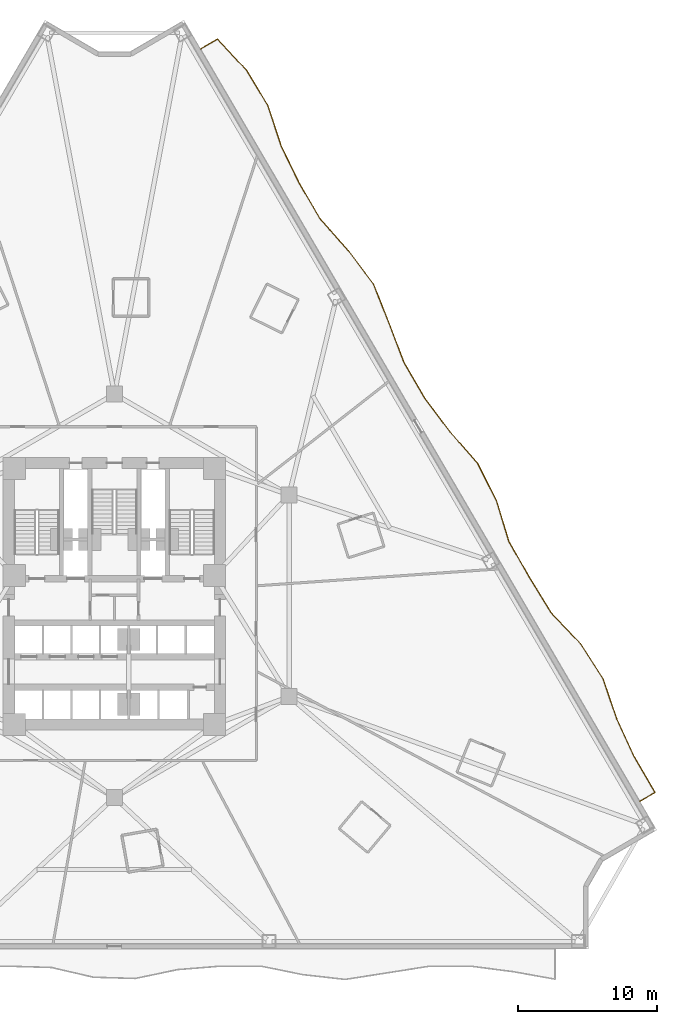
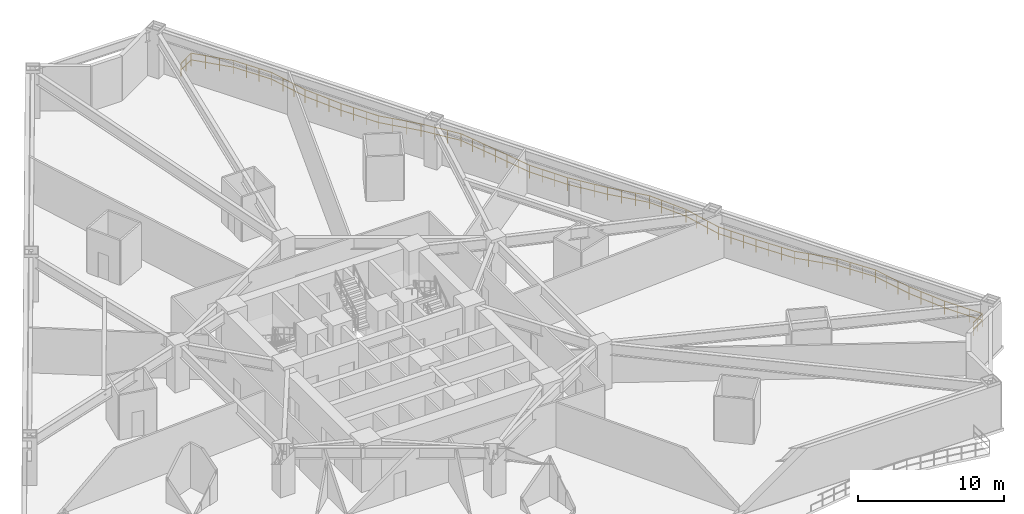
# One storey, part 10 of 10: 1 railing.
"""IFC4 building model written with IfcOpenShell, lengths in metres."""

from ifc_helpers import new_model, si_unit, direction, frame, origin, origin_2d, place, context, subcontext, project, spatial, rectangle, extrude, material, type_object, element, save


model = new_model("IFC4")

# Units and contexts
model_context = context("Model", 3, precision=1e-05, world=origin(), true_north=direction((0.0, 1.0)))
body_context = subcontext(model_context, "Body", "Model", "MODEL_VIEW")
ifc_project = project(units=[si_unit("LENGTHUNIT", "METRE"), si_unit("AREAUNIT", "SQUARE_METRE"), si_unit("VOLUMEUNIT", "CUBIC_METRE"), si_unit("PLANEANGLEUNIT", "RADIAN"), si_unit("MASSUNIT", "GRAM", prefix="KILO")], contexts=[model_context])

# Site, building, storey
site_placement = place(None, origin())
site = spatial("IfcSite", under=ifc_project, at=site_placement, CompositionType="ELEMENT")
building_placement = place(site_placement, origin())
building = spatial("IfcBuilding", under=site, at=building_placement, Name="Apsidion Concourse Tower", CompositionType="ELEMENT")
storey_placement = place(building_placement, frame((0.0, 0.0, 38.39990234375)))
storey = spatial("IfcBuildingStorey", under=building, at=storey_placement, Name="L07", CompositionType="ELEMENT", Elevation=38.39990234375)

# Railing
ifc_material = material(Name="Brushed stainless steel 316", Category="steel")
railing_type = type_object("IfcRailingType", Name="RL-BAL-1120", PredefinedType="BALUSTRADE", material=ifc_material)
railing_placement = place(storey_placement, frame((6.204833984375, 39.32275390625, 0.0)))
element("IfcRailing", 1, at=railing_placement, inside=storey, type_object=railing_type, Name="L07 Face 3 Rippling Balcony Balustrade", PredefinedType="BALUSTRADE", context=body_context, shape_type="SweptSolid", body=[
    extrude(rectangle(XDim=0.048095703125, YDim=0.048095703125, at=origin_2d()), frame((0.0, 0.0, 1.09619140625), z_axis=(0.863561934815, 0.504242783526, 0.0), x_axis=(-0.504242783526, 0.863561934815, 0.0)), (0.0, 0.0, 1.0), 1.38818359375),
    extrude(rectangle(XDim=0.048095703125, YDim=0.048095703125, at=origin_2d()), frame((0.0, 0.0, 0.5361328125), z_axis=(0.863561934815, 0.504242783526, 0.0), x_axis=(-0.504242783526, 0.863561934815, 0.0)), (0.0, 0.0, 1.0), 1.38818359375),
    extrude(rectangle(XDim=0.048095703125, YDim=0.048095703125, at=origin_2d()), frame((1.19873046875, 0.699951171875, 1.09619140625), z_axis=(0.683295779845, -0.730141682995, 0.0), x_axis=(0.730141682995, 0.683295779845, 0.0)), (0.0, 0.0, 1.0), 3.05908203125),
    extrude(rectangle(XDim=0.048095703125, YDim=0.048095703125, at=origin_2d()), frame((1.19873046875, 0.699951171875, 0.5361328125), z_axis=(0.683295779845, -0.730141682995, 0.0), x_axis=(0.730141682995, 0.683295779845, 0.0)), (0.0, 0.0, 1.0), 3.05908203125),
    extrude(rectangle(XDim=0.048095703125, YDim=0.048095703125, at=origin_2d()), frame((3.2890625, -1.53369140625, 1.09619140625), z_axis=(0.517777460533, -0.855515342565, 0.0), x_axis=(0.855515342565, 0.517777460533, 0.0)), (0.0, 0.0, 1.0), 2.9833984375),
    extrude(rectangle(XDim=0.048095703125, YDim=0.048095703125, at=origin_2d()), frame((3.2890625, -1.53369140625, 0.5361328125), z_axis=(0.517777460533, -0.855515342565, 0.0), x_axis=(0.855515342565, 0.517777460533, 0.0)), (0.0, 0.0, 1.0), 2.9833984375),
    extrude(rectangle(XDim=0.048095703125, YDim=0.048095703125, at=origin_2d()), frame((4.833740234375, -4.0859375, 1.09619140625), z_axis=(0.311086364781, -0.950381646312, 0.0), x_axis=(0.950381646312, 0.311086364781, 0.0)), (0.0, 0.0, 1.0), 3.05126953125),
    extrude(rectangle(XDim=0.048095703125, YDim=0.048095703125, at=origin_2d()), frame((4.833740234375, -4.0859375, 0.5361328125), z_axis=(0.311086364781, -0.950381646312, 0.0), x_axis=(0.950381646312, 0.311086364781, 0.0)), (0.0, 0.0, 1.0), 3.05126953125),
    extrude(rectangle(XDim=0.048095703125, YDim=0.048095703125, at=origin_2d()), frame((5.782958984375, -6.98583984375, 1.09619140625), z_axis=(0.438803112542, -0.898583233999, 0.0), x_axis=(0.898583233999, 0.438803112542, 0.0)), (0.0, 0.0, 1.0), 2.9912109375),
    extrude(rectangle(XDim=0.048095703125, YDim=0.048095703125, at=origin_2d()), frame((5.782958984375, -6.98583984375, 0.5361328125), z_axis=(0.438803112542, -0.898583233999, 0.0), x_axis=(0.898583233999, 0.438803112542, 0.0)), (0.0, 0.0, 1.0), 2.9912109375),
    extrude(rectangle(XDim=0.048095703125, YDim=0.048095703125, at=origin_2d()), frame((7.095458984375, -9.673583984375, 1.09619140625), z_axis=(0.504252641195, -0.863556178745, 0.0), x_axis=(0.863556178745, 0.504252641195, 0.0)), (0.0, 0.0, 1.0), 2.98291015625),
    extrude(rectangle(XDim=0.048095703125, YDim=0.048095703125, at=origin_2d()), frame((7.095458984375, -9.673583984375, 0.5361328125), z_axis=(0.504252641195, -0.863556178745, 0.0), x_axis=(0.863556178745, 0.504252641195, 0.0)), (0.0, 0.0, 1.0), 2.98291015625),
    extrude(rectangle(XDim=0.048095703125, YDim=0.048095703125, at=origin_2d()), frame((8.599609375, -12.24951171875, 1.09619140625), z_axis=(0.666461901303, -0.745539089593, 0.0), x_axis=(0.745539089593, 0.666461901303, 0.0)), (0.0, 0.0, 1.0), 3.044189453125),
    extrude(rectangle(XDim=0.048095703125, YDim=0.048095703125, at=origin_2d()), frame((8.599609375, -12.24951171875, 0.5361328125), z_axis=(0.666461901303, -0.745539089593, 0.0), x_axis=(0.745539089593, 0.666461901303, 0.0)), (0.0, 0.0, 1.0), 3.044189453125),
    extrude(rectangle(XDim=0.048095703125, YDim=0.048095703125, at=origin_2d()), frame((10.62841796875, -14.51904296875, 1.09619140625), z_axis=(0.598580873498, -0.801062380768, 0.0), x_axis=(0.801062380768, 0.598580873498, 0.0)), (0.0, 0.0, 1.0), 3.002197265625),
    extrude(rectangle(XDim=0.048095703125, YDim=0.048095703125, at=origin_2d()), frame((10.62841796875, -14.51904296875, 0.5361328125), z_axis=(0.598580873498, -0.801062380768, 0.0), x_axis=(0.801062380768, 0.598580873498, 0.0)), (0.0, 0.0, 1.0), 3.002197265625),
    extrude(rectangle(XDim=0.048095703125, YDim=0.048095703125, at=origin_2d()), frame((12.425537109375, -16.924072265625, 1.09619140625), z_axis=(0.369254982543, -0.929328121746, 0.0), x_axis=(0.929328121746, 0.369254982543, 0.0)), (0.0, 0.0, 1.0), 3.016845703125),
    extrude(rectangle(XDim=0.048095703125, YDim=0.048095703125, at=origin_2d()), frame((12.425537109375, -16.924072265625, 0.5361328125), z_axis=(0.369254982543, -0.929328121746, 0.0), x_axis=(0.929328121746, 0.369254982543, 0.0)), (0.0, 0.0, 1.0), 3.016845703125),
    extrude(rectangle(XDim=0.048095703125, YDim=0.048095703125, at=origin_2d()), frame((13.53955078125, -19.727783203125, 1.09619140625), z_axis=(0.355914743246, -0.934518429749, 0.0), x_axis=(0.934518429749, 0.355914743246, 0.0)), (0.0, 0.0, 1.0), 3.023681640625),
    extrude(rectangle(XDim=0.048095703125, YDim=0.048095703125, at=origin_2d()), frame((13.53955078125, -19.727783203125, 0.5361328125), z_axis=(0.355914743246, -0.934518429749, 0.0), x_axis=(0.934518429749, 0.355914743246, 0.0)), (0.0, 0.0, 1.0), 3.023681640625),
    extrude(rectangle(XDim=0.048095703125, YDim=0.048095703125, at=origin_2d()), frame((14.61572265625, -22.553466796875, 1.09619140625), z_axis=(0.504191602526, -0.863591817899, 0.0), x_axis=(0.863591817899, 0.504191602526, 0.0)), (0.0, 0.0, 1.0), 2.98291015625),
    extrude(rectangle(XDim=0.048095703125, YDim=0.048095703125, at=origin_2d()), frame((14.61572265625, -22.553466796875, 0.5361328125), z_axis=(0.504191602526, -0.863591817899, 0.0), x_axis=(0.863591817899, 0.504191602526, 0.0)), (0.0, 0.0, 1.0), 2.98291015625),
    extrude(rectangle(XDim=0.048095703125, YDim=0.048095703125, at=origin_2d()), frame((16.11962890625, -25.12939453125, 1.09619140625), z_axis=(0.599713764147, -0.8002145969, 0.0), x_axis=(0.8002145969, 0.599713764147, 0.0)), (0.0, 0.0, 1.0), 3.002685546875),
    extrude(rectangle(XDim=0.048095703125, YDim=0.048095703125, at=origin_2d()), frame((16.11962890625, -25.12939453125, 0.5361328125), z_axis=(0.599713764147, -0.8002145969, 0.0), x_axis=(0.8002145969, 0.599713764147, 0.0)), (0.0, 0.0, 1.0), 3.002685546875),
    extrude(rectangle(XDim=0.048095703125, YDim=0.048095703125, at=origin_2d()), frame((17.92041015625, -27.5322265625, 1.09619140625), z_axis=(0.657570751348, -0.753392797266, 0.0), x_axis=(0.753392797266, 0.657570751348, 0.0)), (0.0, 0.0, 1.0), 3.037109375),
    extrude(rectangle(XDim=0.048095703125, YDim=0.048095703125, at=origin_2d()), frame((17.92041015625, -27.5322265625, 0.5361328125), z_axis=(0.657570751348, -0.753392797266, 0.0), x_axis=(0.753392797266, 0.657570751348, 0.0)), (0.0, 0.0, 1.0), 3.037109375),
    extrude(rectangle(XDim=0.048095703125, YDim=0.048095703125, at=origin_2d()), frame((19.91748046875, -29.8203125, 1.09619140625), z_axis=(0.451228715903, -0.89240834036, 0.0), x_axis=(0.89240834036, 0.451228715903, 0.0)), (0.0, 0.0, 1.0), 2.98828125),
    extrude(rectangle(XDim=0.048095703125, YDim=0.048095703125, at=origin_2d()), frame((19.91748046875, -29.8203125, 0.5361328125), z_axis=(0.451228715903, -0.89240834036, 0.0), x_axis=(0.89240834036, 0.451228715903, 0.0)), (0.0, 0.0, 1.0), 2.98828125),
    extrude(rectangle(XDim=0.048095703125, YDim=0.048095703125, at=origin_2d()), frame((21.265869140625, -32.487060546875, 1.09619140625), z_axis=(0.290268117979, -0.956945358777, 0.0), x_axis=(0.956945358777, 0.290268117979, 0.0)), (0.0, 0.0, 1.0), 3.066650390625),
    extrude(rectangle(XDim=0.048095703125, YDim=0.048095703125, at=origin_2d()), frame((21.265869140625, -32.487060546875, 0.5361328125), z_axis=(0.290268117979, -0.956945358777, 0.0), x_axis=(0.956945358777, 0.290268117979, 0.0)), (0.0, 0.0, 1.0), 3.066650390625),
    extrude(rectangle(XDim=0.048095703125, YDim=0.048095703125, at=origin_2d()), frame((22.156005859375, -35.421630859375, 1.09619140625), z_axis=(0.497363580226, -0.867542200164, 0.0), x_axis=(0.867542200164, 0.497363580226, 0.0)), (0.0, 0.0, 1.0), 2.98291015625),
    extrude(rectangle(XDim=0.048095703125, YDim=0.048095703125, at=origin_2d()), frame((22.156005859375, -35.421630859375, 0.5361328125), z_axis=(0.497363580226, -0.867542200164, 0.0), x_axis=(0.867542200164, 0.497363580226, 0.0)), (0.0, 0.0, 1.0), 2.98291015625),
    extrude(rectangle(XDim=0.048095703125, YDim=0.048095703125, at=origin_2d()), frame((23.6396484375, -38.009521484375, 1.09619140625), z_axis=(0.52481855232, -0.851214125318, 0.0), x_axis=(0.851214125318, 0.52481855232, 0.0)), (0.0, 0.0, 1.0), 2.983642578125),
    extrude(rectangle(XDim=0.048095703125, YDim=0.048095703125, at=origin_2d()), frame((23.6396484375, -38.009521484375, 0.5361328125), z_axis=(0.52481855232, -0.851214125318, 0.0), x_axis=(0.851214125318, 0.52481855232, 0.0)), (0.0, 0.0, 1.0), 2.983642578125),
    extrude(rectangle(XDim=0.048095703125, YDim=0.048095703125, at=origin_2d()), frame((25.20556640625, -40.54931640625, 1.09619140625), z_axis=(0.6882572062, -0.725466758793, 0.0), x_axis=(0.725466758793, 0.6882572062, 0.0)), (0.0, 0.0, 1.0), 3.064208984375),
    extrude(rectangle(XDim=0.048095703125, YDim=0.048095703125, at=origin_2d()), frame((25.20556640625, -40.54931640625, 0.5361328125), z_axis=(0.6882572062, -0.725466758793, 0.0), x_axis=(0.725466758793, 0.6882572062, 0.0)), (0.0, 0.0, 1.0), 3.064208984375),
    extrude(rectangle(XDim=0.048095703125, YDim=0.048095703125, at=origin_2d()), frame((27.314453125, -42.772216796875, 1.09619140625), z_axis=(0.539492219277, -0.841990585066, 0.0), x_axis=(0.841990585066, 0.539492219277, 0.0)), (0.0, 0.0, 1.0), 2.9853515625),
    extrude(rectangle(XDim=0.048095703125, YDim=0.048095703125, at=origin_2d()), frame((27.314453125, -42.772216796875, 0.5361328125), z_axis=(0.539492219277, -0.841990585066, 0.0), x_axis=(0.841990585066, 0.539492219277, 0.0)), (0.0, 0.0, 1.0), 2.9853515625),
    extrude(rectangle(XDim=0.048095703125, YDim=0.048095703125, at=origin_2d()), frame((28.925048828125, -45.285888671875, 1.09619140625), z_axis=(0.322789888037, -0.946470648346, 0.0), x_axis=(0.946470648346, 0.322789888037, 0.0)), (0.0, 0.0, 1.0), 3.04345703125),
    extrude(rectangle(XDim=0.048095703125, YDim=0.048095703125, at=origin_2d()), frame((28.925048828125, -45.285888671875, 0.5361328125), z_axis=(0.322789888037, -0.946470648346, 0.0), x_axis=(0.946470648346, 0.322789888037, 0.0)), (0.0, 0.0, 1.0), 3.04345703125),
    extrude(rectangle(XDim=0.048095703125, YDim=0.048095703125, at=origin_2d()), frame((29.907470703125, -48.16650390625, 1.09619140625), z_axis=(0.417880059966, -0.908502204446, 0.0), x_axis=(0.908502204446, 0.417880059966, 0.0)), (0.0, 0.0, 1.0), 2.9970703125),
    extrude(rectangle(XDim=0.048095703125, YDim=0.048095703125, at=origin_2d()), frame((29.907470703125, -48.16650390625, 0.5361328125), z_axis=(0.417880059966, -0.908502204446, 0.0), x_axis=(0.908502204446, 0.417880059966, 0.0)), (0.0, 0.0, 1.0), 2.9970703125),
    extrude(rectangle(XDim=0.048095703125, YDim=0.048095703125, at=origin_2d()), frame((31.159912109375, -50.889404296875, 1.09619140625), z_axis=(0.504252641195, -0.863556178745, 0.0), x_axis=(0.863556178745, 0.504252641195, 0.0)), (0.0, 0.0, 1.0), 2.98291015625),
    extrude(rectangle(XDim=0.048095703125, YDim=0.048095703125, at=origin_2d()), frame((31.159912109375, -50.889404296875, 0.5361328125), z_axis=(0.504252641195, -0.863556178745, 0.0), x_axis=(0.863556178745, 0.504252641195, 0.0)), (0.0, 0.0, 1.0), 2.98291015625),
    extrude(rectangle(XDim=0.048095703125, YDim=0.048095703125, at=origin_2d()), frame((32.6640625, -53.46533203125, 1.09619140625), z_axis=(-0.863651366555, -0.504089592283, 0.0), x_axis=(0.504089592283, -0.863651366555, 0.0)), (0.0, 0.0, 1.0), 1.25),
    extrude(rectangle(XDim=0.048095703125, YDim=0.048095703125, at=origin_2d()), frame((32.6640625, -53.46533203125, 0.5361328125), z_axis=(-0.863651366555, -0.504089592283, 0.0), x_axis=(0.504089592283, -0.863651366555, 0.0)), (0.0, 0.0, 1.0), 1.25),
    extrude(rectangle(XDim=0.0419921875, YDim=0.0419921875, at=origin_2d()), origin(), (0.0, 0.0, 1.0), 1.072021484375),
    extrude(rectangle(XDim=0.0419921875, YDim=0.0419921875, at=origin_2d()), frame((0.599365234375, 0.35009765625, 0.0)), (0.0, 0.0, 1.0), 1.072021484375),
    extrude(rectangle(XDim=0.0419921875, YDim=0.0419921875, at=origin_2d()), frame((1.19873046875, 0.699951171875, 0.0)), (0.0, 0.0, 1.0), 1.072021484375),
    extrude(rectangle(XDim=0.0419921875, YDim=0.0419921875, at=origin_2d()), frame((1.8955078125, -0.044677734375, 0.0)), (0.0, 0.0, 1.0), 1.072021484375),
    extrude(rectangle(XDim=0.0419921875, YDim=0.0419921875, at=origin_2d()), frame((2.59228515625, -0.7890625, 0.0)), (0.0, 0.0, 1.0), 1.072021484375),
    extrude(rectangle(XDim=0.0419921875, YDim=0.0419921875, at=origin_2d()), frame((3.2890625, -1.53369140625, 0.0)), (0.0, 0.0, 1.0), 1.072021484375),
    extrude(rectangle(XDim=0.0419921875, YDim=0.0419921875, at=origin_2d()), frame((3.803955078125, -2.384521484375, 0.0)), (0.0, 0.0, 1.0), 1.072021484375),
    extrude(rectangle(XDim=0.0419921875, YDim=0.0419921875, at=origin_2d()), frame((4.31884765625, -3.235107421875, 0.0)), (0.0, 0.0, 1.0), 1.072021484375),
    extrude(rectangle(XDim=0.0419921875, YDim=0.0419921875, at=origin_2d()), frame((4.833740234375, -4.0859375, 0.0)), (0.0, 0.0, 1.0), 1.072021484375),
    extrude(rectangle(XDim=0.0419921875, YDim=0.0419921875, at=origin_2d()), frame((5.150146484375, -5.052490234375, 0.0)), (0.0, 0.0, 1.0), 1.072021484375),
    extrude(rectangle(XDim=0.0419921875, YDim=0.0419921875, at=origin_2d()), frame((5.466552734375, -6.019287109375, 0.0)), (0.0, 0.0, 1.0), 1.072021484375),
    extrude(rectangle(XDim=0.0419921875, YDim=0.0419921875, at=origin_2d()), frame((5.782958984375, -6.98583984375, 0.0)), (0.0, 0.0, 1.0), 1.072021484375),
    extrude(rectangle(XDim=0.0419921875, YDim=0.0419921875, at=origin_2d()), frame((6.220458984375, -7.8818359375, 0.0)), (0.0, 0.0, 1.0), 1.072021484375),
    extrude(rectangle(XDim=0.0419921875, YDim=0.0419921875, at=origin_2d()), frame((6.657958984375, -8.777587890625, 0.0)), (0.0, 0.0, 1.0), 1.072021484375),
    extrude(rectangle(XDim=0.0419921875, YDim=0.0419921875, at=origin_2d()), frame((7.095458984375, -9.673583984375, 0.0)), (0.0, 0.0, 1.0), 1.072021484375),
    extrude(rectangle(XDim=0.0419921875, YDim=0.0419921875, at=origin_2d()), frame((7.596923828125, -10.5322265625, 0.0)), (0.0, 0.0, 1.0), 1.072021484375),
    extrude(rectangle(XDim=0.0419921875, YDim=0.0419921875, at=origin_2d()), frame((8.09814453125, -11.390869140625, 0.0)), (0.0, 0.0, 1.0), 1.072021484375),
    extrude(rectangle(XDim=0.0419921875, YDim=0.0419921875, at=origin_2d()), frame((8.599609375, -12.24951171875, 0.0)), (0.0, 0.0, 1.0), 1.072021484375),
    extrude(rectangle(XDim=0.0419921875, YDim=0.0419921875, at=origin_2d()), frame((9.27587890625, -13.006103515625, 0.0)), (0.0, 0.0, 1.0), 1.072021484375),
    extrude(rectangle(XDim=0.0419921875, YDim=0.0419921875, at=origin_2d()), frame((9.9521484375, -13.762451171875, 0.0)), (0.0, 0.0, 1.0), 1.072021484375),
    extrude(rectangle(XDim=0.0419921875, YDim=0.0419921875, at=origin_2d()), frame((10.62841796875, -14.51904296875, 0.0)), (0.0, 0.0, 1.0), 1.072021484375),
    extrude(rectangle(XDim=0.0419921875, YDim=0.0419921875, at=origin_2d()), frame((11.2275390625, -15.32080078125, 0.0)), (0.0, 0.0, 1.0), 1.072021484375),
    extrude(rectangle(XDim=0.0419921875, YDim=0.0419921875, at=origin_2d()), frame((11.826416015625, -16.122314453125, 0.0)), (0.0, 0.0, 1.0), 1.072021484375),
    extrude(rectangle(XDim=0.0419921875, YDim=0.0419921875, at=origin_2d()), frame((12.425537109375, -16.924072265625, 0.0)), (0.0, 0.0, 1.0), 1.072021484375),
    extrude(rectangle(XDim=0.0419921875, YDim=0.0419921875, at=origin_2d()), frame((12.796875, -17.858642578125, 0.0)), (0.0, 0.0, 1.0), 1.072021484375),
    extrude(rectangle(XDim=0.0419921875, YDim=0.0419921875, at=origin_2d()), frame((13.168212890625, -18.793212890625, 0.0)), (0.0, 0.0, 1.0), 1.072021484375),
    extrude(rectangle(XDim=0.0419921875, YDim=0.0419921875, at=origin_2d()), frame((13.53955078125, -19.727783203125, 0.0)), (0.0, 0.0, 1.0), 1.072021484375),
    extrude(rectangle(XDim=0.0419921875, YDim=0.0419921875, at=origin_2d()), frame((13.898193359375, -20.669677734375, 0.0)), (0.0, 0.0, 1.0), 1.072021484375),
    extrude(rectangle(XDim=0.0419921875, YDim=0.0419921875, at=origin_2d()), frame((14.257080078125, -21.611572265625, 0.0)), (0.0, 0.0, 1.0), 1.072021484375),
    extrude(rectangle(XDim=0.0419921875, YDim=0.0419921875, at=origin_2d()), frame((14.61572265625, -22.553466796875, 0.0)), (0.0, 0.0, 1.0), 1.072021484375),
    extrude(rectangle(XDim=0.0419921875, YDim=0.0419921875, at=origin_2d()), frame((15.116943359375, -23.412109375, 0.0)), (0.0, 0.0, 1.0), 1.072021484375),
    extrude(rectangle(XDim=0.0419921875, YDim=0.0419921875, at=origin_2d()), frame((15.618408203125, -24.270751953125, 0.0)), (0.0, 0.0, 1.0), 1.072021484375),
    extrude(rectangle(XDim=0.0419921875, YDim=0.0419921875, at=origin_2d()), frame((16.11962890625, -25.12939453125, 0.0)), (0.0, 0.0, 1.0), 1.072021484375),
    extrude(rectangle(XDim=0.0419921875, YDim=0.0419921875, at=origin_2d()), frame((16.719970703125, -25.930419921875, 0.0)), (0.0, 0.0, 1.0), 1.072021484375),
    extrude(rectangle(XDim=0.0419921875, YDim=0.0419921875, at=origin_2d()), frame((17.320068359375, -26.731201171875, 0.0)), (0.0, 0.0, 1.0), 1.072021484375),
    extrude(rectangle(XDim=0.0419921875, YDim=0.0419921875, at=origin_2d()), frame((17.92041015625, -27.5322265625, 0.0)), (0.0, 0.0, 1.0), 1.072021484375),
    extrude(rectangle(XDim=0.0419921875, YDim=0.0419921875, at=origin_2d()), frame((18.586181640625, -28.294921875, 0.0)), (0.0, 0.0, 1.0), 1.072021484375),
    extrude(rectangle(XDim=0.0419921875, YDim=0.0419921875, at=origin_2d()), frame((19.251708984375, -29.0576171875, 0.0)), (0.0, 0.0, 1.0), 1.072021484375),
    extrude(rectangle(XDim=0.0419921875, YDim=0.0419921875, at=origin_2d()), frame((19.91748046875, -29.8203125, 0.0)), (0.0, 0.0, 1.0), 1.072021484375),
    extrude(rectangle(XDim=0.0419921875, YDim=0.0419921875, at=origin_2d()), frame((20.366943359375, -30.709228515625, 0.0)), (0.0, 0.0, 1.0), 1.072021484375),
    extrude(rectangle(XDim=0.0419921875, YDim=0.0419921875, at=origin_2d()), frame((20.81640625, -31.59814453125, 0.0)), (0.0, 0.0, 1.0), 1.072021484375),
    extrude(rectangle(XDim=0.0419921875, YDim=0.0419921875, at=origin_2d()), frame((21.265869140625, -32.487060546875, 0.0)), (0.0, 0.0, 1.0), 1.072021484375),
    extrude(rectangle(XDim=0.0419921875, YDim=0.0419921875, at=origin_2d()), frame((21.5625, -33.46533203125, 0.0)), (0.0, 0.0, 1.0), 1.072021484375),
    extrude(rectangle(XDim=0.0419921875, YDim=0.0419921875, at=origin_2d()), frame((21.859375, -34.443359375, 0.0)), (0.0, 0.0, 1.0), 1.072021484375),
    extrude(rectangle(XDim=0.0419921875, YDim=0.0419921875, at=origin_2d()), frame((22.156005859375, -35.421630859375, 0.0)), (0.0, 0.0, 1.0), 1.072021484375),
    extrude(rectangle(XDim=0.0419921875, YDim=0.0419921875, at=origin_2d()), frame((22.650634765625, -36.2841796875, 0.0)), (0.0, 0.0, 1.0), 1.072021484375),
    extrude(rectangle(XDim=0.0419921875, YDim=0.0419921875, at=origin_2d()), frame((23.14501953125, -37.14697265625, 0.0)), (0.0, 0.0, 1.0), 1.072021484375),
    extrude(rectangle(XDim=0.0419921875, YDim=0.0419921875, at=origin_2d()), frame((23.6396484375, -38.009521484375, 0.0)), (0.0, 0.0, 1.0), 1.072021484375),
    extrude(rectangle(XDim=0.0419921875, YDim=0.0419921875, at=origin_2d()), frame((24.16162109375, -38.856201171875, 0.0)), (0.0, 0.0, 1.0), 1.072021484375),
    extrude(rectangle(XDim=0.0419921875, YDim=0.0419921875, at=origin_2d()), frame((24.68359375, -39.70263671875, 0.0)), (0.0, 0.0, 1.0), 1.072021484375),
    extrude(rectangle(XDim=0.0419921875, YDim=0.0419921875, at=origin_2d()), frame((25.20556640625, -40.54931640625, 0.0)), (0.0, 0.0, 1.0), 1.072021484375),
    extrude(rectangle(XDim=0.0419921875, YDim=0.0419921875, at=origin_2d()), frame((25.908447265625, -41.290283203125, 0.0)), (0.0, 0.0, 1.0), 1.072021484375),
    extrude(rectangle(XDim=0.0419921875, YDim=0.0419921875, at=origin_2d()), frame((26.611572265625, -42.03125, 0.0)), (0.0, 0.0, 1.0), 1.072021484375),
    extrude(rectangle(XDim=0.0419921875, YDim=0.0419921875, at=origin_2d()), frame((27.314453125, -42.772216796875, 0.0)), (0.0, 0.0, 1.0), 1.072021484375),
    extrude(rectangle(XDim=0.0419921875, YDim=0.0419921875, at=origin_2d()), frame((27.851318359375, -43.610107421875, 0.0)), (0.0, 0.0, 1.0), 1.072021484375),
    extrude(rectangle(XDim=0.0419921875, YDim=0.0419921875, at=origin_2d()), frame((28.38818359375, -44.447998046875, 0.0)), (0.0, 0.0, 1.0), 1.072021484375),
    extrude(rectangle(XDim=0.0419921875, YDim=0.0419921875, at=origin_2d()), frame((28.925048828125, -45.285888671875, 0.0)), (0.0, 0.0, 1.0), 1.072021484375),
    extrude(rectangle(XDim=0.0419921875, YDim=0.0419921875, at=origin_2d()), frame((29.25244140625, -46.24609375, 0.0)), (0.0, 0.0, 1.0), 1.072021484375),
    extrude(rectangle(XDim=0.0419921875, YDim=0.0419921875, at=origin_2d()), frame((29.580078125, -47.206298828125, 0.0)), (0.0, 0.0, 1.0), 1.072021484375),
    extrude(rectangle(XDim=0.0419921875, YDim=0.0419921875, at=origin_2d()), frame((29.907470703125, -48.16650390625, 0.0)), (0.0, 0.0, 1.0), 1.072021484375),
    extrude(rectangle(XDim=0.0419921875, YDim=0.0419921875, at=origin_2d()), frame((30.324951171875, -49.07421875, 0.0)), (0.0, 0.0, 1.0), 1.072021484375),
    extrude(rectangle(XDim=0.0419921875, YDim=0.0419921875, at=origin_2d()), frame((30.742431640625, -49.981689453125, 0.0)), (0.0, 0.0, 1.0), 1.072021484375),
    extrude(rectangle(XDim=0.0419921875, YDim=0.0419921875, at=origin_2d()), frame((31.159912109375, -50.889404296875, 0.0)), (0.0, 0.0, 1.0), 1.072021484375),
    extrude(rectangle(XDim=0.0419921875, YDim=0.0419921875, at=origin_2d()), frame((31.661376953125, -51.748046875, 0.0)), (0.0, 0.0, 1.0), 1.072021484375),
    extrude(rectangle(XDim=0.0419921875, YDim=0.0419921875, at=origin_2d()), frame((32.16259765625, -52.606689453125, 0.0)), (0.0, 0.0, 1.0), 1.072021484375),
    extrude(rectangle(XDim=0.0419921875, YDim=0.0419921875, at=origin_2d()), frame((32.6640625, -53.46533203125, 0.0)), (0.0, 0.0, 1.0), 1.072021484375),
    extrude(rectangle(XDim=0.0419921875, YDim=0.0419921875, at=origin_2d()), frame((32.124267578125, -53.7802734375, 0.0)), (0.0, 0.0, 1.0), 1.072021484375),
    extrude(rectangle(XDim=0.0419921875, YDim=0.0419921875, at=origin_2d()), frame((31.58447265625, -54.095458984375, 0.0)), (0.0, 0.0, 1.0), 1.072021484375),
])

save(model, "model.ifc")
